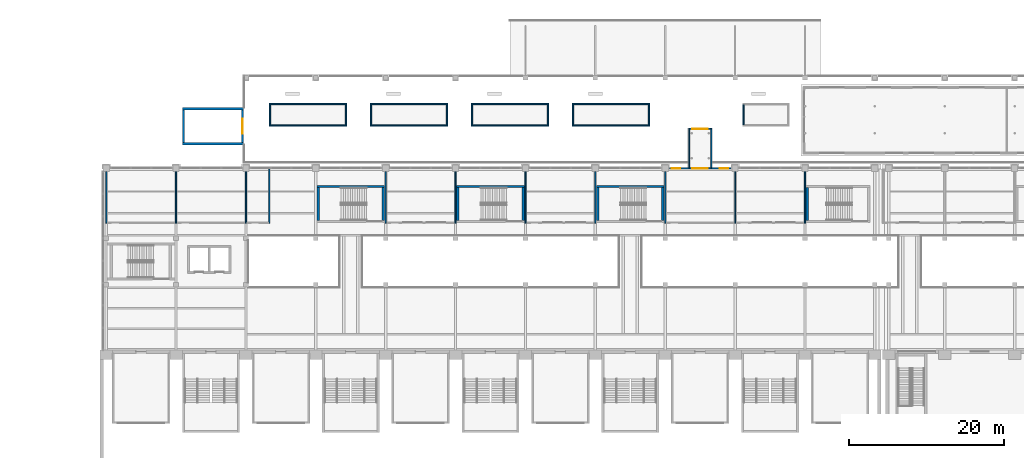
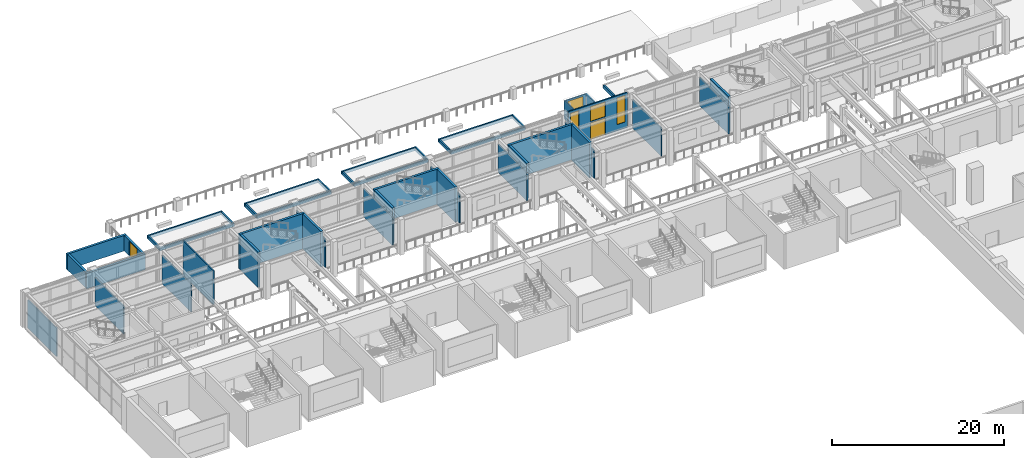
# One storey, part 45 of 67: 46 walls, 3 doors, 3 windows, 6 openings.
"""IFC4 building model written with IfcOpenShell, lengths in metres."""

from ifc_helpers import new_model, si_unit, direction, frame, frame_2d, origin, place, context, subcontext, project, spatial, rectangle, extrude, material, layer, layer_set, type_object, element, fill, save


model = new_model("IFC4")

# Units and contexts
model_context = context("Model", 3, precision=1e-05, world=origin(), true_north=direction((0.0, 1.0)))
body_context = subcontext(model_context, "Body", "Model", "MODEL_VIEW")
ifc_project = project(units=[si_unit("LENGTHUNIT", "METRE"), si_unit("AREAUNIT", "SQUARE_METRE"), si_unit("VOLUMEUNIT", "CUBIC_METRE"), si_unit("PLANEANGLEUNIT", "RADIAN"), si_unit("MASSUNIT", "GRAM", prefix="KILO")], contexts=[model_context])

# Site, building, storey
site_placement = place(None, origin())
site = spatial("IfcSite", under=ifc_project, at=site_placement, CompositionType="ELEMENT")
building_placement = place(site_placement, origin())
building = spatial("IfcBuilding", under=site, at=building_placement, Name="Aravalli Gate Trade Fair Centre", CompositionType="ELEMENT")
storey_placement = place(building_placement, frame((0.0, 0.0, 5.0)))
storey = spatial("IfcBuildingStorey", under=building, at=storey_placement, Name="L01", CompositionType="ELEMENT", Elevation=5.0)

# Walls
ifc_material_1 = material(Name="Concrete M40", Category="concrete")
ifc_layer_1 = layer(ifc_material_1, 0.300048828125)
ifc_layer_set_1 = layer_set([ifc_layer_1], Name="Concrete M40")
wall_type_1 = type_object("IfcWallType", Name="Arcade stair wall 300", PredefinedType="SHEAR", material=ifc_layer_set_1)
for number, where, z_axis, x_axis, name in (
    (1, (15.800048828125, 136.14990234375, 0.0), (0.0, 0.0, 1.0), (1.0, 0.0, 0.0), "Arcade stair wall S L01"),
    (2, (15.800048828125, 140.64990234375, 0.0), (0.0, 0.0, 1.0), (1.0, 0.0, 0.0), "Arcade stair wall N L01"),
):
    element("IfcWall", number, at=place(storey_placement, frame(where, z_axis=z_axis, x_axis=x_axis)), inside=storey, type_object=wall_type_1, Name=name, PredefinedType="SHEAR", context=body_context, shape_type="SweptSolid", body=[
        extrude(rectangle(XDim=7.89990234375, YDim=0.300048828125, at=frame_2d((3.949951171875, 0.0))), origin(), (0.0, 0.0, 1.0), 2.199951171875),
    ])
wall_1_placement = place(storey_placement, frame((15.949951171875, 136.300048828125, 0.0), z_axis=(0.0, 0.0, 1.0), x_axis=(0.0, 1.0, 0.0)))
element("IfcWall", 3, at=wall_1_placement, inside=storey, type_object=wall_type_1, Name="Arcade stair wall W L01", PredefinedType="SHEAR", context=body_context, shape_type="SweptSolid", body=[
    extrude(rectangle(XDim=4.199951171875, YDim=0.300048828125, at=frame_2d((2.10009765625, 0.0))), origin(), (0.0, 0.0, 1.0), 2.199951171875),
])

# Wall, opening, door
wall_2_placement = place(storey_placement, frame((23.550048828125, 136.300048828125, 0.0), z_axis=(0.0, 0.0, 1.0), x_axis=(0.0, 1.0, 0.0)))
wall_2 = element("IfcWall", 4, at=wall_2_placement, inside=storey, type_object=wall_type_1, Name="Arcade stair wall E L01", PredefinedType="SHEAR", context=body_context, shape_type="SweptSolid", body=[
    extrude(rectangle(XDim=4.199951171875, YDim=0.300048828125, at=frame_2d((2.10009765625, 0.0))), origin(), (0.0, 0.0, 1.0), 2.199951171875),
])
opening_1_placement = place(wall_2_placement, frame((1.14990234375, 0.0, 0.0)))
opening_1 = element("IfcOpeningElement", 5, at=opening_1_placement, cuts=wall_2, Name="Opening P-L01-06", PredefinedType="OPENING", context=body_context, shape_type="SweptSolid", body=[
    extrude(rectangle(XDim=1.89990234375, YDim=2.10009765625, at=frame_2d((0.949951171875, 1.050048828125))), frame((0.0, 0.159912109375, 0.0), z_axis=(0.0, -1.0, 0.0), x_axis=(1.0, 0.0, 0.0)), (0.0, 0.0, 1.0), 0.320068359375),
])
ifc_material_2 = material(Name="Steel, fire rated", Category="steel")
door_type_1 = type_object("IfcDoorType", Name="Concourse stair door 1900 x 2100", OperationType="DOUBLE_DOOR_SINGLE_SWING", PredefinedType="NOTDEFINED", material=ifc_material_2)
door_1_placement = place(opening_1_placement, origin())
door_1 = element("IfcDoor", 6, at=door_1_placement, inside=storey, type_object=door_type_1, Name="Arcade stair door E", OperationType="DOUBLE_DOOR_SINGLE_SWING", OverallHeight=2.10009765625, OverallWidth=1.89990234375, PredefinedType="NOTDEFINED", context=body_context, shape_type="SweptSolid", body=[
    extrude(rectangle(XDim=1.89990234375, YDim=2.10009765625, at=frame_2d((0.949951171875, 1.050048828125))), frame((0.0, 0.02490234375, 0.0), z_axis=(0.0, -1.0, 0.0), x_axis=(1.0, 0.0, 0.0)), (0.0, 0.0, 1.0), 0.050048828125),
])
fill(opening_1, door_1)

# Wall, openings, windows, door
ifc_material_3 = material(Name="Aluminium frame with terracotta panels", Category="masonry")
ifc_layer_2 = layer(ifc_material_3, 0.159912109375)
ifc_layer_set_2 = layer_set([ifc_layer_2], Name="Aluminium frame with terracotta panels")
wall_type_2 = type_object("IfcWallType", Name="Entrance screen wall 160", PredefinedType="STANDARD", material=ifc_layer_set_2)
wall_3_placement = place(storey_placement, frame((78.550048828125, 133.0, 0.0), z_axis=(0.0, 0.0, 1.0), x_axis=(1.0, 0.0, 0.0)))
wall_3 = element("IfcWall", 7, at=wall_3_placement, inside=storey, type_object=wall_type_2, Name="Terrace door screen wall", PredefinedType="STANDARD", context=body_context, shape_type="SweptSolid", body=[
    extrude(rectangle(XDim=7.89990234375, YDim=0.159912109375, at=frame_2d((3.949951171875, 0.0))), origin(), (0.0, 0.0, 1.0), 5.0),
])
opening_2_placement = place(wall_3_placement, frame((2.949951171875, 0.0, 0.0)))
opening_2 = element("IfcOpeningElement", 8, at=opening_2_placement, cuts=wall_3, Name="Opening C-L01-01", PredefinedType="OPENING", context=body_context, shape_type="SweptSolid", body=[
    extrude(rectangle(XDim=2.0, YDim=2.39990234375, at=frame_2d((1.0, 1.199951171875))), frame((0.0, 0.08984375, 0.0), z_axis=(0.0, -1.0, 0.0), x_axis=(1.0, 0.0, 0.0)), (0.0, 0.0, 1.0), 0.179931640625),
])
opening_3_placement = place(wall_3_placement, frame((2.949951171875, 0.0, 2.60009765625)))
opening_3 = element("IfcOpeningElement", 9, at=opening_3_placement, cuts=wall_3, Name="Opening WT1", PredefinedType="OPENING", context=body_context, shape_type="SweptSolid", body=[
    extrude(rectangle(XDim=2.0, YDim=2.10009765625, at=frame_2d((1.0, 1.050048828125))), frame((0.0, 0.08984375, 0.0), z_axis=(0.0, -1.0, 0.0), x_axis=(1.0, 0.0, 0.0)), (0.0, 0.0, 1.0), 0.179931640625),
])
opening_4_placement = place(wall_3_placement, frame((0.300048828125, 0.0, 0.89990234375)))
opening_4 = element("IfcOpeningElement", 10, at=opening_4_placement, cuts=wall_3, Name="Opening WT4", PredefinedType="OPENING", context=body_context, shape_type="SweptSolid", body=[
    extrude(rectangle(XDim=1.10009765625, YDim=3.800048828125, at=frame_2d((0.550048828125, 1.89990234375))), frame((0.0, 0.08984375, 0.0), z_axis=(0.0, -1.0, 0.0), x_axis=(1.0, 0.0, 0.0)), (0.0, 0.0, 1.0), 0.179931640625),
])
opening_5_placement = place(wall_3_placement, frame((6.5, 0.0, 0.89990234375)))
opening_5 = element("IfcOpeningElement", 11, at=opening_5_placement, cuts=wall_3, Name="Opening WT4", PredefinedType="OPENING", context=body_context, shape_type="SweptSolid", body=[
    extrude(rectangle(XDim=1.10009765625, YDim=3.800048828125, at=frame_2d((0.550048828125, 1.89990234375))), frame((0.0, 0.08984375, 0.0), z_axis=(0.0, -1.0, 0.0), x_axis=(1.0, 0.0, 0.0)), (0.0, 0.0, 1.0), 0.179931640625),
])
ifc_material_4 = material(Name="Aluminium and glass", Category="aluminium")
window_type_1 = type_object("IfcWindowType", Name="Entrance side light 1100 x 3800", PartitioningType="SINGLE_PANEL", PredefinedType="WINDOW", material=ifc_material_4)
window_1_placement = place(opening_4_placement, origin())
window_1 = element("IfcWindow", 12, at=window_1_placement, inside=storey, type_object=window_type_1, Name="Terrace door side light 1", OverallHeight=3.800048828125, OverallWidth=1.10009765625, PartitioningType="SINGLE_PANEL", PredefinedType="WINDOW", context=body_context, shape_type="SweptSolid", body=[
    extrude(rectangle(XDim=1.10009765625, YDim=3.800048828125, at=frame_2d((0.550048828125, 1.89990234375))), frame((0.0, 0.030029296875, 0.0), z_axis=(0.0, -1.0, 0.0), x_axis=(1.0, 0.0, 0.0)), (0.0, 0.0, 1.0), 0.06005859375),
])
fill(opening_4, window_1)
window_2_placement = place(opening_5_placement, origin())
window_2 = element("IfcWindow", 13, at=window_2_placement, inside=storey, type_object=window_type_1, Name="Terrace door side light 2", OverallHeight=3.800048828125, OverallWidth=1.10009765625, PartitioningType="SINGLE_PANEL", PredefinedType="WINDOW", context=body_context, shape_type="SweptSolid", body=[
    extrude(rectangle(XDim=1.10009765625, YDim=3.800048828125, at=frame_2d((0.550048828125, 1.89990234375))), frame((0.0, 0.030029296875, 0.0), z_axis=(0.0, -1.0, 0.0), x_axis=(1.0, 0.0, 0.0)), (0.0, 0.0, 1.0), 0.06005859375),
])
fill(opening_5, window_2)
window_type_2 = type_object("IfcWindowType", Name="Entrance transom light 2000 x 2100", PartitioningType="SINGLE_PANEL", PredefinedType="WINDOW", material=ifc_material_4)
window_3_placement = place(opening_3_placement, origin())
window_3 = element("IfcWindow", 14, at=window_3_placement, inside=storey, type_object=window_type_2, Name="Terrace door transom light", OverallHeight=2.10009765625, OverallWidth=2.0, PartitioningType="SINGLE_PANEL", PredefinedType="WINDOW", context=body_context, shape_type="SweptSolid", body=[
    extrude(rectangle(XDim=2.0, YDim=2.10009765625, at=frame_2d((1.0, 1.050048828125))), frame((0.0, 0.030029296875, 0.0), z_axis=(0.0, -1.0, 0.0), x_axis=(1.0, 0.0, 0.0)), (0.0, 0.0, 1.0), 0.06005859375),
])
fill(opening_3, window_3)
door_type_2 = type_object("IfcDoorType", Name="Terrace door, double leaf 2000 x 2400", OperationType="DOUBLE_DOOR_SINGLE_SWING", PredefinedType="NOTDEFINED", material=ifc_material_4)
door_2_placement = place(opening_2_placement, origin())
door_2 = element("IfcDoor", 15, at=door_2_placement, inside=storey, type_object=door_type_2, Name="Terrace door", OperationType="DOUBLE_DOOR_SINGLE_SWING", OverallHeight=2.39990234375, OverallWidth=2.0, PredefinedType="NOTDEFINED", context=body_context, shape_type="SweptSolid", body=[
    extrude(rectangle(XDim=2.0, YDim=2.39990234375, at=frame_2d((1.0, 1.199951171875))), frame((0.0, 0.02490234375, 0.0), z_axis=(0.0, -1.0, 0.0), x_axis=(1.0, 0.0, 0.0)), (0.0, 0.0, 1.0), 0.050048828125),
])
fill(opening_2, door_2)

# Walls
ifc_material_5 = material(Name="Gypsum board")
ifc_layer_3 = layer(ifc_material_5, 0.02490234375, Name="Gypsum board lining")
ifc_material_6 = material(Name="Galvanised stud framing")
ifc_layer_4 = layer(ifc_material_6, 0.10009765625, Name="Stud framing")
ifc_layer_5 = layer(ifc_material_5, 0.02490234375, Name="Gypsum board lining")
ifc_layer_set_3 = layer_set([ifc_layer_3, ifc_layer_4, ifc_layer_5], Name="Partition wall 150")
wall_type_3 = type_object("IfcWallType", Name="Partition wall 150", PredefinedType="PARTITIONING", material=ifc_layer_set_3)
for number, where, z_axis, x_axis, name in (
    (16, (6.0, 125.925048828125, 0.0), (0.0, 0.0, 1.0), (0.0, 1.0, 0.0), "Partition 600 L01"),
    (17, (15.0, 125.925048828125, 0.0), (0.0, 0.0, 1.0), (0.0, 1.0, 0.0), "Partition 1500 L01"),
    (18, (24.0, 125.925048828125, 0.0), (0.0, 0.0, 1.0), (0.0, 1.0, 0.0), "Partition 2400 L01"),
):
    element("IfcWall", number, at=place(storey_placement, frame(where, z_axis=z_axis, x_axis=x_axis)), inside=storey, type_object=wall_type_3, Name=name, PredefinedType="PARTITIONING", context=body_context, shape_type="SweptSolid", body=[
        extrude(rectangle(XDim=6.675048828125, YDim=0.14990234375, at=frame_2d((3.33740234375, 0.0))), origin(), (0.0, 0.0, 1.0), 4.0),
    ])
wall_4_placement = place(storey_placement, frame((27.0, 125.925048828125, 0.0), z_axis=(0.0, 0.0, 1.0), x_axis=(0.0, 1.0, 0.0)))
element("IfcWall", 19, at=wall_4_placement, inside=storey, type_object=wall_type_3, Name="Partition 2700 L01", PredefinedType="PARTITIONING", context=body_context, shape_type="SweptSolid", body=[
    extrude(rectangle(XDim=6.994873046875, YDim=0.14990234375, at=frame_2d((3.49755859375, 0.0))), origin(), (0.0, 0.0, 1.0), 4.800048828125),
])
for number, where, z_axis, x_axis, name in (
    (20, (42.0, 125.925048828125, 0.0), (0.0, 0.0, 1.0), (0.0, 1.0, 0.0), "Partition 4200 L01"),
    (21, (51.0, 125.925048828125, 0.0), (0.0, 0.0, 1.0), (0.0, 1.0, 0.0), "Partition 5100 L01"),
    (22, (60.0, 125.925048828125, 0.0), (0.0, 0.0, 1.0), (0.0, 1.0, 0.0), "Partition 6000 L01"),
    (23, (69.0, 125.925048828125, 0.0), (0.0, 0.0, 1.0), (0.0, 1.0, 0.0), "Partition 6900 L01"),
    (24, (87.0, 125.925048828125, 0.0), (0.0, 0.0, 1.0), (0.0, 1.0, 0.0), "Partition 8700 L01"),
    (25, (96.0, 125.925048828125, 0.0), (0.0, 0.0, 1.0), (0.0, 1.0, 0.0), "Partition 9600 L01"),
    (26, (78.0, 125.925048828125, 0.0), (0.0, 0.0, 1.0), (0.0, 1.0, 0.0), "Partition 7800 L01"),
):
    element("IfcWall", number, at=place(storey_placement, frame(where, z_axis=z_axis, x_axis=x_axis)), inside=storey, type_object=wall_type_3, Name=name, PredefinedType="PARTITIONING", context=body_context, shape_type="SweptSolid", body=[
        extrude(rectangle(XDim=6.675048828125, YDim=0.14990234375, at=frame_2d((3.33740234375, 0.0))), origin(), (0.0, 0.0, 1.0), 4.0),
    ])
ifc_layer_6 = layer(ifc_material_1, 0.300048828125)
ifc_layer_set_4 = layer_set([ifc_layer_6], Name="Concrete M40")
wall_type_4 = type_object("IfcWallType", Name="RC core wall 300", PredefinedType="SHEAR", material=ifc_layer_set_4)
wall_5_placement = place(storey_placement, frame((33.14990234375, 130.64990234375, 0.0), z_axis=(0.0, 0.0, 1.0), x_axis=(1.0, 0.0, 0.0)))
element("IfcWall", 27, at=wall_5_placement, inside=storey, type_object=wall_type_4, Name="Core wall XAN L01", PredefinedType="SHEAR", context=body_context, shape_type="SweptSolid", body=[
    extrude(rectangle(XDim=8.7001953125, YDim=0.300048828125, at=frame_2d((4.35009765625, 0.0))), origin(), (0.0, 0.0, 1.0), 5.0),
])
for number, where, z_axis, x_axis, name in (
    (28, (33.300048828125, 126.300048828125, 0.0), (0.0, 0.0, 1.0), (0.0, 1.0, 0.0), "Core wall XAW L01"),
    (29, (41.699951171875, 126.300048828125, 0.0), (0.0, 0.0, 1.0), (0.0, 1.0, 0.0), "Core wall XAE L01"),
):
    element("IfcWall", number, at=place(storey_placement, frame(where, z_axis=z_axis, x_axis=x_axis)), inside=storey, type_object=wall_type_4, Name=name, PredefinedType="SHEAR", context=body_context, shape_type="SweptSolid", body=[
        extrude(rectangle(XDim=4.199951171875, YDim=0.300048828125, at=frame_2d((2.10009765625, 0.0))), origin(), (0.0, 0.0, 1.0), 5.0),
    ])
wall_6_placement = place(storey_placement, frame((51.14990234375, 130.64990234375, 0.0), z_axis=(0.0, 0.0, 1.0), x_axis=(1.0, 0.0, 0.0)))
element("IfcWall", 30, at=wall_6_placement, inside=storey, type_object=wall_type_4, Name="Core wall XBN L01", PredefinedType="SHEAR", context=body_context, shape_type="SweptSolid", body=[
    extrude(rectangle(XDim=8.7001953125, YDim=0.300048828125, at=frame_2d((4.35009765625, 0.0))), origin(), (0.0, 0.0, 1.0), 5.0),
])
for number, where, z_axis, x_axis, name in (
    (31, (51.300048828125, 126.300048828125, 0.0), (0.0, 0.0, 1.0), (0.0, 1.0, 0.0), "Core wall XBW L01"),
    (32, (59.699951171875, 126.300048828125, 0.0), (0.0, 0.0, 1.0), (0.0, 1.0, 0.0), "Core wall XBE L01"),
):
    element("IfcWall", number, at=place(storey_placement, frame(where, z_axis=z_axis, x_axis=x_axis)), inside=storey, type_object=wall_type_4, Name=name, PredefinedType="SHEAR", context=body_context, shape_type="SweptSolid", body=[
        extrude(rectangle(XDim=4.199951171875, YDim=0.300048828125, at=frame_2d((2.10009765625, 0.0))), origin(), (0.0, 0.0, 1.0), 5.0),
    ])
wall_7_placement = place(storey_placement, frame((69.14990234375, 130.64990234375, 0.0), z_axis=(0.0, 0.0, 1.0), x_axis=(1.0, 0.0, 0.0)))
element("IfcWall", 33, at=wall_7_placement, inside=storey, type_object=wall_type_4, Name="Core wall XCN L01", PredefinedType="SHEAR", context=body_context, shape_type="SweptSolid", body=[
    extrude(rectangle(XDim=8.7001953125, YDim=0.300048828125, at=frame_2d((4.35009765625, 0.0))), origin(), (0.0, 0.0, 1.0), 5.0),
])
for number, where, z_axis, x_axis, name in (
    (34, (69.300048828125, 126.300048828125, 0.0), (0.0, 0.0, 1.0), (0.0, 1.0, 0.0), "Core wall XCW L01"),
    (35, (77.699951171875, 126.300048828125, 0.0), (0.0, 0.0, 1.0), (0.0, 1.0, 0.0), "Core wall XCE L01"),
    (36, (96.300048828125, 126.300048828125, 0.0), (0.0, 0.0, 1.0), (0.0, 1.0, 0.0), "Core wall XDW L01"),
):
    element("IfcWall", number, at=place(storey_placement, frame(where, z_axis=z_axis, x_axis=x_axis)), inside=storey, type_object=wall_type_4, Name=name, PredefinedType="SHEAR", context=body_context, shape_type="SweptSolid", body=[
        extrude(rectangle(XDim=4.199951171875, YDim=0.300048828125, at=frame_2d((2.10009765625, 0.0))), origin(), (0.0, 0.0, 1.0), 5.0),
    ])
ifc_material_7 = material(Name="Aluminium frame with glass", Category="aluminium")
ifc_layer_7 = layer(ifc_material_7, 0.159912109375)
ifc_layer_set_5 = layer_set([ifc_layer_7], Name="Aluminium frame with glass")
wall_type_5 = type_object("IfcWallType", Name="Terrace pavilion wall 160", PredefinedType="STANDARD", material=ifc_layer_set_5)
for number, where, z_axis, x_axis, name in (
    (37, (81.080078125, 133.10009765625, 0.0), (0.0, 0.0, 1.0), (0.0, 1.0, 0.0), "Terrace lobby wall W"),
    (38, (83.919921875, 133.10009765625, 0.0), (0.0, 0.0, 1.0), (0.0, 1.0, 0.0), "Terrace lobby wall E"),
):
    element("IfcWall", number, at=place(storey_placement, frame(where, z_axis=z_axis, x_axis=x_axis)), inside=storey, type_object=wall_type_5, Name=name, PredefinedType="STANDARD", context=body_context, shape_type="SweptSolid", body=[
        extrude(rectangle(XDim=5.059814453125, YDim=0.159912109375, at=frame_2d((2.52978515625, 0.0))), origin(), (0.0, 0.0, 1.0), 2.60009765625),
    ])

# Wall, opening, door
wall_8_placement = place(storey_placement, frame((81.159912109375, 138.080078125, 0.0), z_axis=(0.0, 0.0, 1.0), x_axis=(1.0, 0.0, 0.0)))
wall_8 = element("IfcWall", 39, at=wall_8_placement, inside=storey, type_object=wall_type_5, Name="Terrace lobby wall N", PredefinedType="STANDARD", context=body_context, shape_type="SweptSolid", body=[
    extrude(rectangle(XDim=2.68017578125, YDim=0.159912109375, at=frame_2d((1.340087890625, 0.0))), origin(), (0.0, 0.0, 1.0), 2.60009765625),
])
opening_6_placement = place(wall_8_placement, frame((0.300048828125, 0.0, 0.0)))
opening_6 = element("IfcOpeningElement", 40, at=opening_6_placement, cuts=wall_8, Name="Opening P-L01-05", PredefinedType="OPENING", context=body_context, shape_type="SweptSolid", body=[
    extrude(rectangle(XDim=2.0, YDim=2.39990234375, at=frame_2d((1.0, 1.199951171875))), frame((0.0, 0.08984375, 0.0), z_axis=(0.0, -1.0, 0.0), x_axis=(1.0, 0.0, 0.0)), (0.0, 0.0, 1.0), 0.179931640625),
])
door_type_3 = type_object("IfcDoorType", Name="Arcade door, double 2000 x 2400", OperationType="DOUBLE_DOOR_SINGLE_SWING", PredefinedType="NOTDEFINED", material=ifc_material_4)
door_3_placement = place(opening_6_placement, origin())
door_3 = element("IfcDoor", 41, at=door_3_placement, inside=storey, type_object=door_type_3, Name="Terrace lobby door", OperationType="DOUBLE_DOOR_SINGLE_SWING", OverallHeight=2.39990234375, OverallWidth=2.0, PredefinedType="NOTDEFINED", context=body_context, shape_type="SweptSolid", body=[
    extrude(rectangle(XDim=2.0, YDim=2.39990234375, at=frame_2d((1.0, 1.199951171875))), frame((0.0, 0.02490234375, 0.0), z_axis=(0.0, -1.0, 0.0), x_axis=(1.0, 0.0, 0.0)), (0.0, 0.0, 1.0), 0.050048828125),
])
fill(opening_6, door_3)

# Walls
ifc_material_8 = material(Name="Concrete M30", Category="concrete")
ifc_layer_8 = layer(ifc_material_8, 0.199951171875)
ifc_layer_set_6 = layer_set([ifc_layer_8], Name="Concrete M30")
wall_type_6 = type_object("IfcWallType", Name="Terrace planter wall 200", PredefinedType="STANDARD", material=ifc_layer_set_6)
for number, where, z_axis, x_axis, name in (
    (42, (27.0, 138.5, 0.0), (0.0, 0.0, 1.0), (1.0, 0.0, 0.0), "Planter 1 wall S"),
    (43, (27.0, 141.300048828125, 0.0), (0.0, 0.0, 1.0), (1.0, 0.0, 0.0), "Planter 1 wall N"),
):
    element("IfcWall", number, at=place(storey_placement, frame(where, z_axis=z_axis, x_axis=x_axis)), inside=storey, type_object=wall_type_6, Name=name, PredefinedType="STANDARD", context=body_context, shape_type="SweptSolid", body=[
        extrude(rectangle(XDim=10.0, YDim=0.199951171875, at=frame_2d((5.0, 0.0))), origin(), (0.0, 0.0, 1.0), 0.449951171875),
    ])
for number, where, z_axis, x_axis, name in (
    (44, (27.10009765625, 138.60009765625, 0.0), (0.0, 0.0, 1.0), (0.0, 1.0, 0.0), "Planter 1 wall W"),
    (45, (36.89990234375, 138.60009765625, 0.0), (0.0, 0.0, 1.0), (0.0, 1.0, 0.0), "Planter 1 wall E"),
):
    element("IfcWall", number, at=place(storey_placement, frame(where, z_axis=z_axis, x_axis=x_axis)), inside=storey, type_object=wall_type_6, Name=name, PredefinedType="STANDARD", context=body_context, shape_type="SweptSolid", body=[
        extrude(rectangle(XDim=2.599853515625, YDim=0.199951171875, at=frame_2d((1.2998046875, 0.0))), origin(), (0.0, 0.0, 1.0), 0.449951171875),
    ])
for number, where, z_axis, x_axis, name in (
    (46, (40.0, 138.5, 0.0), (0.0, 0.0, 1.0), (1.0, 0.0, 0.0), "Planter 2 wall S"),
    (47, (40.0, 141.300048828125, 0.0), (0.0, 0.0, 1.0), (1.0, 0.0, 0.0), "Planter 2 wall N"),
):
    element("IfcWall", number, at=place(storey_placement, frame(where, z_axis=z_axis, x_axis=x_axis)), inside=storey, type_object=wall_type_6, Name=name, PredefinedType="STANDARD", context=body_context, shape_type="SweptSolid", body=[
        extrude(rectangle(XDim=10.0, YDim=0.199951171875, at=frame_2d((5.0, 0.0))), origin(), (0.0, 0.0, 1.0), 0.449951171875),
    ])
for number, where, z_axis, x_axis, name in (
    (48, (40.10009765625, 138.60009765625, 0.0), (0.0, 0.0, 1.0), (0.0, 1.0, 0.0), "Planter 2 wall W"),
    (49, (49.89990234375, 138.60009765625, 0.0), (0.0, 0.0, 1.0), (0.0, 1.0, 0.0), "Planter 2 wall E"),
):
    element("IfcWall", number, at=place(storey_placement, frame(where, z_axis=z_axis, x_axis=x_axis)), inside=storey, type_object=wall_type_6, Name=name, PredefinedType="STANDARD", context=body_context, shape_type="SweptSolid", body=[
        extrude(rectangle(XDim=2.599853515625, YDim=0.199951171875, at=frame_2d((1.2998046875, 0.0))), origin(), (0.0, 0.0, 1.0), 0.449951171875),
    ])
for number, where, z_axis, x_axis, name in (
    (50, (53.0, 138.5, 0.0), (0.0, 0.0, 1.0), (1.0, 0.0, 0.0), "Planter 3 wall S"),
    (51, (53.0, 141.300048828125, 0.0), (0.0, 0.0, 1.0), (1.0, 0.0, 0.0), "Planter 3 wall N"),
):
    element("IfcWall", number, at=place(storey_placement, frame(where, z_axis=z_axis, x_axis=x_axis)), inside=storey, type_object=wall_type_6, Name=name, PredefinedType="STANDARD", context=body_context, shape_type="SweptSolid", body=[
        extrude(rectangle(XDim=10.0, YDim=0.199951171875, at=frame_2d((5.0, 0.0))), origin(), (0.0, 0.0, 1.0), 0.449951171875),
    ])
for number, where, z_axis, x_axis, name in (
    (52, (53.10009765625, 138.60009765625, 0.0), (0.0, 0.0, 1.0), (0.0, 1.0, 0.0), "Planter 3 wall W"),
    (53, (62.89990234375, 138.60009765625, 0.0), (0.0, 0.0, 1.0), (0.0, 1.0, 0.0), "Planter 3 wall E"),
):
    element("IfcWall", number, at=place(storey_placement, frame(where, z_axis=z_axis, x_axis=x_axis)), inside=storey, type_object=wall_type_6, Name=name, PredefinedType="STANDARD", context=body_context, shape_type="SweptSolid", body=[
        extrude(rectangle(XDim=2.599853515625, YDim=0.199951171875, at=frame_2d((1.2998046875, 0.0))), origin(), (0.0, 0.0, 1.0), 0.449951171875),
    ])
for number, where, z_axis, x_axis, name in (
    (54, (66.0, 138.5, 0.0), (0.0, 0.0, 1.0), (1.0, 0.0, 0.0), "Planter 4 wall S"),
    (55, (66.0, 141.300048828125, 0.0), (0.0, 0.0, 1.0), (1.0, 0.0, 0.0), "Planter 4 wall N"),
):
    element("IfcWall", number, at=place(storey_placement, frame(where, z_axis=z_axis, x_axis=x_axis)), inside=storey, type_object=wall_type_6, Name=name, PredefinedType="STANDARD", context=body_context, shape_type="SweptSolid", body=[
        extrude(rectangle(XDim=10.0, YDim=0.199951171875, at=frame_2d((5.0, 0.0))), origin(), (0.0, 0.0, 1.0), 0.449951171875),
    ])
for number, where, z_axis, x_axis, name in (
    (56, (66.10009765625, 138.60009765625, 0.0), (0.0, 0.0, 1.0), (0.0, 1.0, 0.0), "Planter 4 wall W"),
    (57, (75.89990234375, 138.60009765625, 0.0), (0.0, 0.0, 1.0), (0.0, 1.0, 0.0), "Planter 4 wall E"),
    (58, (88.10009765625, 138.60009765625, 0.0), (0.0, 0.0, 1.0), (0.0, 1.0, 0.0), "Planter 5 wall W"),
):
    element("IfcWall", number, at=place(storey_placement, frame(where, z_axis=z_axis, x_axis=x_axis)), inside=storey, type_object=wall_type_6, Name=name, PredefinedType="STANDARD", context=body_context, shape_type="SweptSolid", body=[
        extrude(rectangle(XDim=2.599853515625, YDim=0.199951171875, at=frame_2d((1.2998046875, 0.0))), origin(), (0.0, 0.0, 1.0), 0.449951171875),
    ])

save(model, "model.ifc")
